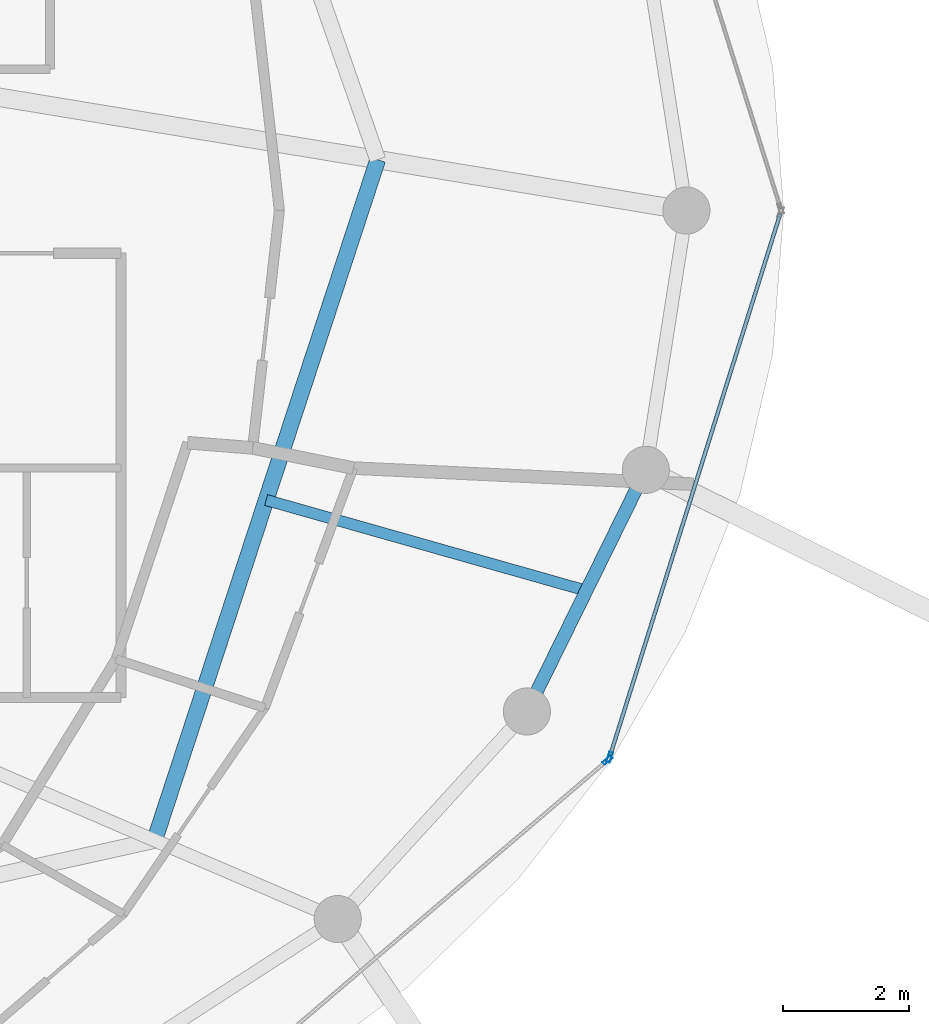
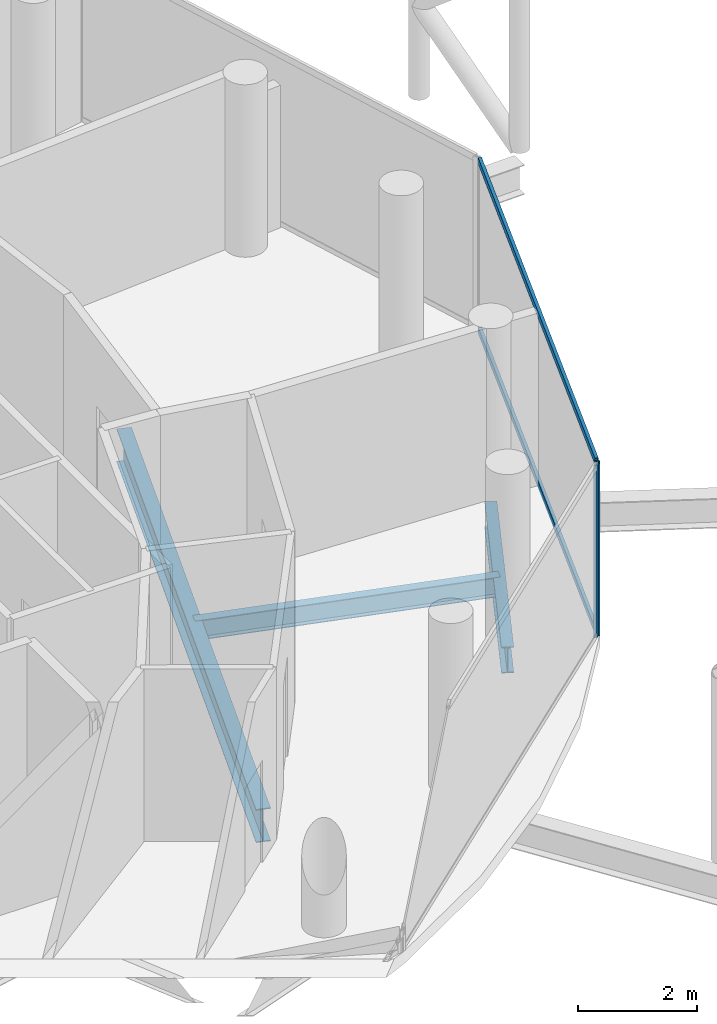
# One storey, part 10 of 24: 4 members, 3 beams, 2 elements without a shape of their own.
"""IFC4 building model written with IfcOpenShell, lengths in metres."""

from ifc_helpers import new_model, si_unit, direction, frame, origin, origin_2d, place, context, subcontext, project, spatial, hollow_rectangle, i_section, extrude, material, layer, layer_set, material_profile, profile_set, type_object, element, aggregate, save


model = new_model("IFC4")

# Units and contexts
model_context = context("Model", 3, precision=1e-05, world=origin(), true_north=direction((0.0, 1.0)))
body_context = subcontext(model_context, "Body", "Model", "MODEL_VIEW")
ifc_project = project(units=[si_unit("LENGTHUNIT", "METRE"), si_unit("AREAUNIT", "SQUARE_METRE"), si_unit("VOLUMEUNIT", "CUBIC_METRE"), si_unit("PLANEANGLEUNIT", "RADIAN"), si_unit("MASSUNIT", "GRAM", prefix="KILO")], contexts=[model_context])

# Site, building, storey
site_placement = place(None, origin())
site = spatial("IfcSite", under=ifc_project, at=site_placement, CompositionType="ELEMENT")
building_placement = place(site_placement, origin())
building = spatial("IfcBuilding", under=site, at=building_placement, Name="Nuhasar Tower", CompositionType="ELEMENT")
storey_placement = place(building_placement, frame((0.0, 0.0, 263.199951171875)))
storey = spatial("IfcBuildingStorey", under=building, at=storey_placement, Name="L65", CompositionType="ELEMENT", Elevation=263.199951171875)

# Beams
ifc_material_1 = material(Name="Steel S355", Category="steel")
ifc_material_profile_1 = material_profile(ifc_material_1, i_section(OverallWidth=0.25390625, OverallDepth=0.68408203125, WebThickness=0.012451171875, FlangeThickness=0.018798828125, at=origin_2d()), Name="W27X94")
ifc_profile_set_1 = profile_set([ifc_material_profile_1], Name="Steel S355")
beam_type_1 = type_object("IfcBeamType", Name="BM-INRING-W27X94", PredefinedType="BEAM", material=ifc_profile_set_1)
beam_1_placement = place(storey_placement, frame((49.48388671875, 16.77392578125, -0.60205078125), z_axis=(0.311483801376, 0.950251462235, 0.0), x_axis=(-0.950251462235, 0.311483801376, 0.0)))
element("IfcBeam", 1, at=beam_1_placement, inside=storey, type_object=beam_type_1, Name="L65 Inner Header Beam 03", PredefinedType="BEAM", context=body_context, shape_type="SweptSolid", body=[
    extrude(i_section(OverallWidth=0.25390625, OverallDepth=0.68408203125, WebThickness=0.012451171875, FlangeThickness=0.018798828125, at=origin_2d()), origin(), (0.0, 0.0, 1.0), 11.403564453125),
])
ifc_material_profile_2 = material_profile(ifc_material_1, i_section(OverallWidth=0.177978515625, OverallDepth=0.406005859375, WebThickness=0.0078125, FlangeThickness=0.0126953125, at=origin_2d()), Name="W16X40")
ifc_profile_set_2 = profile_set([ifc_material_profile_2], Name="Steel S355")
beam_type_2 = type_object("IfcBeamType", Name="BM-JST-W16X40", PredefinedType="JOIST", material=ifc_profile_set_2)
beam_2_placement = place(storey_placement, frame((51.260009765625, 22.19189453125, -0.462890625), z_axis=(0.962154316042, -0.272505178156, 0.0), x_axis=(0.272505178156, 0.962154316042, 0.0)))
element("IfcBeam", 2, at=beam_2_placement, inside=storey, type_object=beam_type_2, Name="L65 Secondary Floor Joist 03", PredefinedType="JOIST", context=body_context, shape_type="SweptSolid", body=[
    extrude(i_section(OverallWidth=0.177978515625, OverallDepth=0.406005859375, WebThickness=0.0078125, FlangeThickness=0.0126953125, at=origin_2d()), origin(), (0.0, 0.0, 1.0), 5.29833984375),
])
ifc_material_profile_3 = material_profile(ifc_material_1, i_section(OverallWidth=0.2099609375, OverallDepth=0.537109375, WebThickness=0.010986328125, FlangeThickness=0.017333984375, at=origin_2d()), Name="W21X68")
ifc_profile_set_3 = profile_set([ifc_material_profile_3], Name="Steel S355")
beam_type_3 = type_object("IfcBeamType", Name="BM-RING-W21X68", PredefinedType="SPANDREL", material=ifc_profile_set_3)
beam_3_placement = place(storey_placement, frame((55.410888671875, 18.824951171875, -0.529052734375), z_axis=(0.441510561726, 0.897256052576, 0.0), x_axis=(-0.897256052576, 0.441510561726, 0.0)))
element("IfcBeam", 3, at=beam_3_placement, inside=storey, type_object=beam_type_3, Name="L65 Perimeter Ring Spandrel 23", PredefinedType="SPANDREL", context=body_context, shape_type="SweptSolid", body=[
    extrude(i_section(OverallWidth=0.2099609375, OverallDepth=0.537109375, WebThickness=0.010986328125, FlangeThickness=0.017333984375, at=origin_2d()), origin(), (0.0, 0.0, 1.0), 4.28759765625),
])

# Curtain wall, member
ifc_material_2 = material(Name="Aluminium 6063-T6", Category="aluminium")
ifc_layer = layer(ifc_material_2, 0.18994140625)
ifc_layer_set = layer_set([ifc_layer], Name="Aluminium 6063-T6")
curtain_wall_type = type_object("IfcCurtainWallType", Name="CW-Z4-PEN", PredefinedType="NOTDEFINED", material=ifc_layer_set)
curtain_wall_1_placement = place(storey_placement, origin())
curtain_wall_1 = element("IfcCurtainWall", 4, at=curtain_wall_1_placement, inside=storey, type_object=curtain_wall_type, Name="L65 Unitised Curtain Wall 11", PredefinedType="NOTDEFINED")
ifc_material_profile_4 = material_profile(ifc_material_2, hollow_rectangle(XDim=0.06005859375, YDim=0.1650390625, WallThickness=0.0048828125, at=origin_2d()), Name="CWM-5")
ifc_profile_set_4 = profile_set([ifc_material_profile_4], Name="Aluminium 6063-T6")
member_type_1 = type_object("IfcMemberType", Name="CW-MUL-S5", PredefinedType="MULLION", material=ifc_profile_set_4)
member_1_placement = place(storey_placement, frame((56.6962890625, 18.050537109375, 0.0), z_axis=(0.0, 0.0, 1.0), x_axis=(-0.649141996205, 0.760667252327, 0.0)))
member_1 = element("IfcMember", 5, at=member_1_placement, type_object=member_type_1, Name="CW-Z4 mullion 2", PredefinedType="MULLION", context=body_context, shape_type="SweptSolid", body=[
    extrude(hollow_rectangle(XDim=0.06005859375, YDim=0.1650390625, WallThickness=0.0048828125, at=origin_2d()), origin(), (0.0, 0.0, 1.0), 3.5400390625),
])
aggregate(curtain_wall_1, [member_1])

# Curtain wall, members
curtain_wall_2_placement = place(storey_placement, origin())
curtain_wall_2 = element("IfcCurtainWall", 6, at=curtain_wall_2_placement, inside=storey, type_object=curtain_wall_type, Name="L65 Unitised Curtain Wall 12", PredefinedType="NOTDEFINED")
member_2_placement = place(storey_placement, frame((56.72802734375, 18.0986328125, 0.0), z_axis=(0.0, 0.0, 1.0), x_axis=(-0.954078526601, 0.299556614146, 0.0)))
member_2 = element("IfcMember", 7, at=member_2_placement, type_object=member_type_1, Name="CW-Z4 mullion 1", PredefinedType="MULLION", context=body_context, shape_type="SweptSolid", body=[
    extrude(hollow_rectangle(XDim=0.06005859375, YDim=0.1650390625, WallThickness=0.0048828125, at=origin_2d()), origin(), (0.0, 0.0, 1.0), 3.5400390625),
])
ifc_material_profile_5 = material_profile(ifc_material_2, hollow_rectangle(XDim=0.06005859375, YDim=0.135009765625, WallThickness=0.00439453125, at=origin_2d()), Name="CWT-5")
ifc_profile_set_5 = profile_set([ifc_material_profile_5], Name="Aluminium 6063-T6")
member_type_2 = type_object("IfcMemberType", Name="CW-TRN-S5", PredefinedType="USERDEFINED", material=ifc_profile_set_5)
member_3_placement = place(storey_placement, frame((56.737060546875, 18.127197265625, 0.030029296875), z_axis=(0.29956014073, 0.954077419335, 0.0), x_axis=(-0.954077419335, 0.29956014073, 0.0)))
member_3 = element("IfcMember", 8, at=member_3_placement, type_object=member_type_2, Name="CW-Z4 transom 1.1", ObjectType="TRANSOM", PredefinedType="USERDEFINED", context=body_context, shape_type="SweptSolid", body=[
    extrude(hollow_rectangle(XDim=0.06005859375, YDim=0.135009765625, WallThickness=0.00439453125, at=origin_2d()), origin(), (0.0, 0.0, 1.0), 9.0302734375),
])
member_4_placement = place(storey_placement, frame((56.737060546875, 18.127197265625, 3.510009765625), z_axis=(0.29956014073, 0.954077419335, 0.0), x_axis=(-0.954077419335, 0.29956014073, 0.0)))
member_4 = element("IfcMember", 9, at=member_4_placement, type_object=member_type_2, Name="CW-Z4 transom 1.2", ObjectType="TRANSOM", PredefinedType="USERDEFINED", context=body_context, shape_type="SweptSolid", body=[
    extrude(hollow_rectangle(XDim=0.06005859375, YDim=0.135009765625, WallThickness=0.00439453125, at=origin_2d()), origin(), (0.0, 0.0, 1.0), 9.0302734375),
])
aggregate(curtain_wall_2, [member_2, member_3, member_4])

save(model, "model.ifc")
